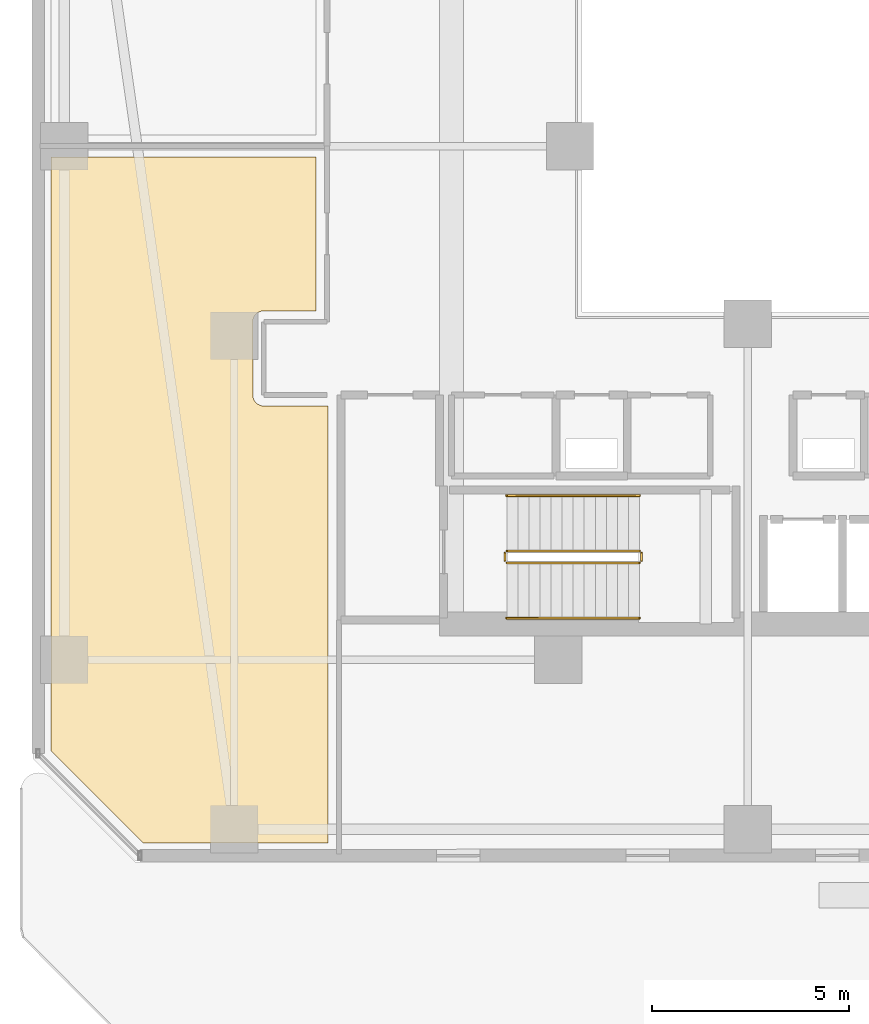
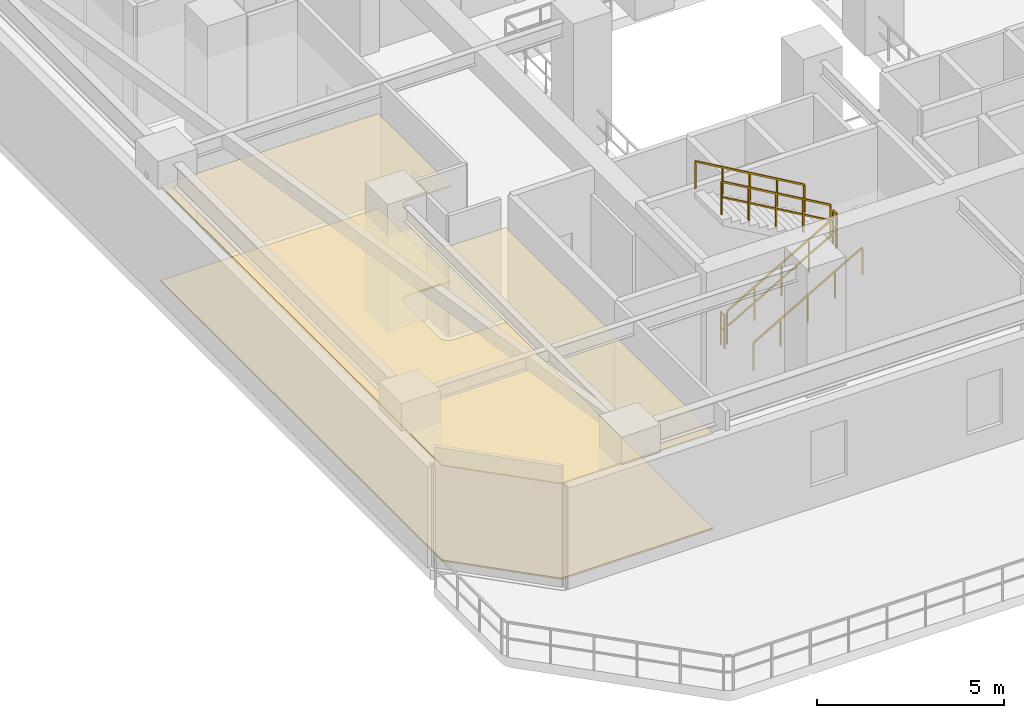
# One storey, part 24 of 30: 6 railings, 2 coverings.
"""IFC4 building model written with IfcOpenShell, lengths in metres."""

from ifc_helpers import new_model, si_unit, direction, frame, origin, origin_2d, place, context, subcontext, project, spatial, polyline, rectangle, outline, extrude, material, layer, layer_set, type_object, element, save


model = new_model("IFC4")

# Units and contexts
model_context = context("Model", 3, precision=1e-05, world=origin(), true_north=direction((0.0, 1.0)))
body_context = subcontext(model_context, "Body", "Model", "MODEL_VIEW")
ifc_project = project(units=[si_unit("LENGTHUNIT", "METRE"), si_unit("AREAUNIT", "SQUARE_METRE"), si_unit("VOLUMEUNIT", "CUBIC_METRE"), si_unit("PLANEANGLEUNIT", "RADIAN"), si_unit("MASSUNIT", "GRAM", prefix="KILO")], contexts=[model_context])

# Site, building, storey
site_placement = place(None, origin())
site = spatial("IfcSite", under=ifc_project, at=site_placement, CompositionType="ELEMENT")
building_placement = place(site_placement, origin())
building = spatial("IfcBuilding", under=site, at=building_placement, Name="Thornwick Lancets Civic Towers", CompositionType="ELEMENT")
storey_placement = place(building_placement, frame((0.0, 0.0, 75.89990234375)))
storey = spatial("IfcBuildingStorey", under=building, at=storey_placement, Name="L19", CompositionType="ELEMENT", Elevation=75.89990234375)

# Coverings
ifc_material_1 = material(Name="Perforated mineral acoustic ceiling tile")
ifc_layer_1 = layer(ifc_material_1, 0.0400390625, Name="Perforated mineral acoustic ceiling tile")
ifc_layer_set_1 = layer_set([ifc_layer_1], Name="Perforated mineral acoustic ceiling tile")
covering_type_1 = type_object("IfcCoveringType", Name="COV_CEIL_ACOUSTIC", PredefinedType="CEILING", material=ifc_layer_set_1)
covering_1_placement = place(storey_placement, frame((0.0, 0.0, 3.10498046875)))
element("IfcCovering", 1, at=covering_1_placement, inside=storey, type_object=covering_type_1, Name="L19 Tower A Ministry Directorate Office W1 Ceiling", PredefinedType="CEILING", context=body_context, shape_type="SweptSolid", body=[
    extrude(outline(polyline([(7.860107421875, 11.690673828125), (7.860107421875, 26.719970703125), (14.570068359375, 26.719970703125), (14.570068359375, 22.830078125), (13.25, 22.830078125), (13.22265625, 22.82861328125), (13.1953125, 22.82470703125), (13.168701171875, 22.81787109375), (13.142822265625, 22.80859375), (13.117919921875, 22.796875), (13.094482421875, 22.78271484375), (13.072509765625, 22.766357421875), (13.052001953125, 22.748046875), (13.03369140625, 22.7275390625), (13.01708984375, 22.70556640625), (13.003173828125, 22.681884765625), (12.9912109375, 22.6572265625), (12.982177734375, 22.63134765625), (12.975341796875, 22.6044921875), (12.97119140625, 22.577392578125), (12.969970703125, 22.550048828125), (12.969970703125, 20.699951171875), (12.97119140625, 20.672607421875), (12.975341796875, 20.6455078125), (12.982177734375, 20.61865234375), (12.9912109375, 20.5927734375), (13.003173828125, 20.568115234375), (13.01708984375, 20.54443359375), (13.03369140625, 20.5224609375), (13.052001953125, 20.501953125), (13.072509765625, 20.483642578125), (13.094482421875, 20.46728515625), (13.117919921875, 20.453125), (13.142822265625, 20.44140625), (13.168701171875, 20.43212890625), (13.1953125, 20.42529296875), (13.22265625, 20.42138671875), (13.25, 20.419921875), (14.8701171875, 20.419921875), (14.8701171875, 9.360107421875), (10.190673828125, 9.360107421875), (7.860107421875, 11.690673828125)])), origin(), (0.0, 0.0, 1.0), 0.0400390625),
])
ifc_material_2 = material(Name="Calcium-sulfate raised access floor panel")
ifc_layer_2 = layer(ifc_material_2, 0.050048828125, Name="Calcium-sulfate raised access floor panel")
ifc_layer_set_2 = layer_set([ifc_layer_2], Name="Calcium-sulfate raised access floor panel")
covering_type_2 = type_object("IfcCoveringType", Name="COV_FLOOR_RAISED", PredefinedType="FLOORING", material=ifc_layer_set_2)
covering_2_placement = place(storey_placement, origin())
element("IfcCovering", 2, at=covering_2_placement, inside=storey, type_object=covering_type_2, Name="L19 Tower A Ministry Directorate Office W1 Raised Access Flooring", PredefinedType="FLOORING", context=body_context, shape_type="SweptSolid", body=[
    extrude(outline(polyline([(7.860107421875, 11.690673828125), (7.860107421875, 26.719970703125), (14.570068359375, 26.719970703125), (14.570068359375, 22.830078125), (13.25, 22.830078125), (13.22265625, 22.82861328125), (13.1953125, 22.82470703125), (13.168701171875, 22.81787109375), (13.142822265625, 22.80859375), (13.117919921875, 22.796875), (13.094482421875, 22.78271484375), (13.072509765625, 22.766357421875), (13.052001953125, 22.748046875), (13.03369140625, 22.7275390625), (13.01708984375, 22.70556640625), (13.003173828125, 22.681884765625), (12.9912109375, 22.6572265625), (12.982177734375, 22.63134765625), (12.975341796875, 22.6044921875), (12.97119140625, 22.577392578125), (12.969970703125, 22.550048828125), (12.969970703125, 20.699951171875), (12.97119140625, 20.672607421875), (12.975341796875, 20.6455078125), (12.982177734375, 20.61865234375), (12.9912109375, 20.5927734375), (13.003173828125, 20.568115234375), (13.01708984375, 20.54443359375), (13.03369140625, 20.5224609375), (13.052001953125, 20.501953125), (13.072509765625, 20.483642578125), (13.094482421875, 20.46728515625), (13.117919921875, 20.453125), (13.142822265625, 20.44140625), (13.168701171875, 20.43212890625), (13.1953125, 20.42529296875), (13.22265625, 20.42138671875), (13.25, 20.419921875), (14.8701171875, 20.419921875), (14.8701171875, 9.360107421875), (10.190673828125, 9.360107421875), (7.860107421875, 11.690673828125)])), origin(), (0.0, 0.0, 1.0), 0.050048828125),
])

# Railings
ifc_material_3 = material(Name="Brushed stainless steel S355", Category="steel")
railing_type_1 = type_object("IfcRailingType", Name="RAIL_HANDRAIL", PredefinedType="HANDRAIL", material=ifc_material_3)
railing_1_placement = place(storey_placement, frame((19.39990234375, 15.050048828125, 0.16162109375)))
element("IfcRailing", 3, at=railing_1_placement, inside=storey, type_object=railing_type_1, Name="L19 ST-A1 stair handrail 1", PredefinedType="HANDRAIL", context=body_context, shape_type="SweptSolid", body=[
    extrude(rectangle(XDim=0.048095703125, YDim=0.048095703125, at=origin_2d()), frame((0.0, 0.0, 0.8857421875), z_axis=(0.866190824863, 0.0, 0.499713372768), x_axis=(0.0, 1.0, 0.0)), (0.0, 0.0, 1.0), 3.879150390625),
    extrude(rectangle(XDim=0.0419921875, YDim=0.0419921875, at=origin_2d()), origin(), (0.0, 0.0, 1.0), 0.855712890625),
    extrude(rectangle(XDim=0.0419921875, YDim=0.0419921875, at=origin_2d()), frame((0.840087890625, 0.0, 0.484619140625)), (0.0, 0.0, 1.0), 0.855712890625),
    extrude(rectangle(XDim=0.0419921875, YDim=0.0419921875, at=origin_2d()), frame((1.68017578125, 0.0, 0.96923828125)), (0.0, 0.0, 1.0), 0.855712890625),
    extrude(rectangle(XDim=0.0419921875, YDim=0.0419921875, at=origin_2d()), frame((2.52001953125, 0.0, 1.453857421875)), (0.0, 0.0, 1.0), 0.855712890625),
    extrude(rectangle(XDim=0.0419921875, YDim=0.0419921875, at=origin_2d()), frame((3.360107421875, 0.0, 1.9384765625)), (0.0, 0.0, 1.0), 0.855712890625),
])
railing_2_placement = place(storey_placement, frame((22.760009765625, 18.14990234375, 2.26171875)))
element("IfcRailing", 4, at=railing_2_placement, inside=storey, type_object=railing_type_1, Name="L19 ST-A1 stair handrail 2", PredefinedType="HANDRAIL", context=body_context, shape_type="SweptSolid", body=[
    extrude(rectangle(XDim=0.048095703125, YDim=0.048095703125, at=origin_2d()), frame((0.0, 0.0, 0.8857421875), z_axis=(-0.866190824863, 0.0, 0.499713372768), x_axis=(0.0, -1.0, 0.0)), (0.0, 0.0, 1.0), 3.879150390625),
    extrude(rectangle(XDim=0.0419921875, YDim=0.0419921875, at=origin_2d()), origin(), (0.0, 0.0, 1.0), 0.855712890625),
    extrude(rectangle(XDim=0.0419921875, YDim=0.0419921875, at=origin_2d()), frame((-0.840087890625, 0.0, 0.484619140625)), (0.0, 0.0, 1.0), 0.855712890625),
    extrude(rectangle(XDim=0.0419921875, YDim=0.0419921875, at=origin_2d()), frame((-1.68017578125, 0.0, 0.96923828125)), (0.0, 0.0, 1.0), 0.855712890625),
    extrude(rectangle(XDim=0.0419921875, YDim=0.0419921875, at=origin_2d()), frame((-2.52001953125, 0.0, 1.453857421875)), (0.0, 0.0, 1.0), 0.855712890625),
    extrude(rectangle(XDim=0.0419921875, YDim=0.0419921875, at=origin_2d()), frame((-3.360107421875, 0.0, 1.9384765625)), (0.0, 0.0, 1.0), 0.855712890625),
])
ifc_material_4 = material(Name="Steel S355JR", Category="steel")
railing_type_2 = type_object("IfcRailingType", Name="RAIL_STAIR_GUARD", PredefinedType="GUARDRAIL", material=ifc_material_4)
railing_3_placement = place(storey_placement, frame((19.39990234375, 16.449951171875, 0.16162109375)))
element("IfcRailing", 5, at=railing_3_placement, inside=storey, type_object=railing_type_2, Name="L19 ST-A1 stair guard 1", PredefinedType="GUARDRAIL", context=body_context, shape_type="SweptSolid", body=[
    extrude(rectangle(XDim=0.048095703125, YDim=0.048095703125, at=origin_2d()), frame((0.0, 0.0, 1.076171875), z_axis=(0.866190824863, 0.0, 0.499713372768), x_axis=(0.0, 1.0, 0.0)), (0.0, 0.0, 1.0), 3.879150390625),
    extrude(rectangle(XDim=0.0419921875, YDim=0.0419921875, at=origin_2d()), frame((0.032470703125, 0.0, 0.5908203125), z_axis=(0.866190824863, 0.0, 0.499713372768), x_axis=(0.0, 1.0, 0.0)), (0.0, 0.0, 1.0), 0.894775390625),
    extrude(rectangle(XDim=0.0419921875, YDim=0.0419921875, at=origin_2d()), frame((0.87255859375, 0.0, 1.075439453125), z_axis=(0.866190824863, 0.0, 0.499713372768), x_axis=(0.0, 1.0, 0.0)), (0.0, 0.0, 1.0), 0.894775390625),
    extrude(rectangle(XDim=0.0419921875, YDim=0.0419921875, at=origin_2d()), frame((1.712646484375, 0.0, 1.56005859375), z_axis=(0.866190824863, 0.0, 0.499713372768), x_axis=(0.0, 1.0, 0.0)), (0.0, 0.0, 1.0), 0.894775390625),
    extrude(rectangle(XDim=0.0419921875, YDim=0.0419921875, at=origin_2d()), frame((2.552490234375, 0.0, 2.044677734375), z_axis=(0.866190824863, 0.0, 0.499713372768), x_axis=(0.0, 1.0, 0.0)), (0.0, 0.0, 1.0), 0.894775390625),
    extrude(rectangle(XDim=0.0419921875, YDim=0.0419921875, at=origin_2d()), origin(), (0.0, 0.0, 1.0), 1.0458984375),
    extrude(rectangle(XDim=0.0419921875, YDim=0.0419921875, at=origin_2d()), frame((0.840087890625, 0.0, 0.484619140625)), (0.0, 0.0, 1.0), 1.0458984375),
    extrude(rectangle(XDim=0.0419921875, YDim=0.0419921875, at=origin_2d()), frame((1.68017578125, 0.0, 0.96923828125)), (0.0, 0.0, 1.0), 1.0458984375),
    extrude(rectangle(XDim=0.0419921875, YDim=0.0419921875, at=origin_2d()), frame((2.52001953125, 0.0, 1.453857421875)), (0.0, 0.0, 1.0), 1.0458984375),
    extrude(rectangle(XDim=0.0419921875, YDim=0.0419921875, at=origin_2d()), frame((3.360107421875, 0.0, 1.9384765625)), (0.0, 0.0, 1.0), 1.0458984375),
])
railing_4_placement = place(storey_placement, frame((22.81005859375, 16.5, 2.10009765625)))
element("IfcRailing", 6, at=railing_4_placement, inside=storey, type_object=railing_type_2, Name="L19 ST-A1 stair guard 2", PredefinedType="GUARDRAIL", context=body_context, shape_type="SweptSolid", body=[
    extrude(rectangle(XDim=0.048095703125, YDim=0.048095703125, at=origin_2d()), frame((0.0, 0.0, 1.076171875), z_axis=(0.0, 1.0, 0.0), x_axis=(-1.0, 0.0, 0.0)), (0.0, 0.0, 1.0), 0.199951171875),
    extrude(rectangle(XDim=0.0419921875, YDim=0.0419921875, at=origin_2d()), frame((0.0, 0.03759765625, 0.572021484375), z_axis=(0.0, 1.0, 0.0), x_axis=(-1.0, 0.0, 0.0)), (0.0, 0.0, 1.0), 0.125),
    extrude(rectangle(XDim=0.0419921875, YDim=0.0419921875, at=origin_2d()), origin(), (0.0, 0.0, 1.0), 1.0458984375),
    extrude(rectangle(XDim=0.0419921875, YDim=0.0419921875, at=origin_2d()), frame((0.0, 0.199951171875, 0.0)), (0.0, 0.0, 1.0), 1.0458984375),
])
railing_5_placement = place(storey_placement, frame((22.760009765625, 16.75, 2.26171875)))
element("IfcRailing", 7, at=railing_5_placement, inside=storey, type_object=railing_type_2, Name="L19 ST-A1 stair guard 3", PredefinedType="GUARDRAIL", context=body_context, shape_type="SweptSolid", body=[
    extrude(rectangle(XDim=0.048095703125, YDim=0.048095703125, at=origin_2d()), frame((0.0, 0.0, 1.076171875), z_axis=(-0.866190824863, 0.0, 0.499713372768), x_axis=(0.0, -1.0, 0.0)), (0.0, 0.0, 1.0), 3.879150390625),
    extrude(rectangle(XDim=0.0419921875, YDim=0.0419921875, at=origin_2d()), frame((-0.032470703125, 0.0, 0.5908203125), z_axis=(-0.866190824863, 0.0, 0.499713372768), x_axis=(0.0, -1.0, 0.0)), (0.0, 0.0, 1.0), 0.894775390625),
    extrude(rectangle(XDim=0.0419921875, YDim=0.0419921875, at=origin_2d()), frame((-0.87255859375, 0.0, 1.075439453125), z_axis=(-0.866190824863, 0.0, 0.499713372768), x_axis=(0.0, -1.0, 0.0)), (0.0, 0.0, 1.0), 0.894775390625),
    extrude(rectangle(XDim=0.0419921875, YDim=0.0419921875, at=origin_2d()), frame((-1.712646484375, 0.0, 1.56005859375), z_axis=(-0.866190824863, 0.0, 0.499713372768), x_axis=(0.0, -1.0, 0.0)), (0.0, 0.0, 1.0), 0.894775390625),
    extrude(rectangle(XDim=0.0419921875, YDim=0.0419921875, at=origin_2d()), frame((-2.552490234375, 0.0, 2.044677734375), z_axis=(-0.866190824863, 0.0, 0.499713372768), x_axis=(0.0, -1.0, 0.0)), (0.0, 0.0, 1.0), 0.894775390625),
    extrude(rectangle(XDim=0.0419921875, YDim=0.0419921875, at=origin_2d()), origin(), (0.0, 0.0, 1.0), 1.0458984375),
    extrude(rectangle(XDim=0.0419921875, YDim=0.0419921875, at=origin_2d()), frame((-0.840087890625, 0.0, 0.484619140625)), (0.0, 0.0, 1.0), 1.0458984375),
    extrude(rectangle(XDim=0.0419921875, YDim=0.0419921875, at=origin_2d()), frame((-1.68017578125, 0.0, 0.96923828125)), (0.0, 0.0, 1.0), 1.0458984375),
    extrude(rectangle(XDim=0.0419921875, YDim=0.0419921875, at=origin_2d()), frame((-2.52001953125, 0.0, 1.453857421875)), (0.0, 0.0, 1.0), 1.0458984375),
    extrude(rectangle(XDim=0.0419921875, YDim=0.0419921875, at=origin_2d()), frame((-3.360107421875, 0.0, 1.9384765625)), (0.0, 0.0, 1.0), 1.0458984375),
])
railing_6_placement = place(storey_placement, frame((19.35009765625, 16.5, 0.0)))
element("IfcRailing", 8, at=railing_6_placement, inside=storey, type_object=railing_type_2, Name="L19 ST-A1 stair guard 4", PredefinedType="GUARDRAIL", context=body_context, shape_type="SweptSolid", body=[
    extrude(rectangle(XDim=0.048095703125, YDim=0.048095703125, at=origin_2d()), frame((0.0, 0.0, 1.076171875), z_axis=(0.0, 1.0, 0.0), x_axis=(-1.0, 0.0, 0.0)), (0.0, 0.0, 1.0), 0.199951171875),
    extrude(rectangle(XDim=0.0419921875, YDim=0.0419921875, at=origin_2d()), frame((0.0, 0.03759765625, 0.572021484375), z_axis=(0.0, 1.0, 0.0), x_axis=(-1.0, 0.0, 0.0)), (0.0, 0.0, 1.0), 0.125),
    extrude(rectangle(XDim=0.0419921875, YDim=0.0419921875, at=origin_2d()), origin(), (0.0, 0.0, 1.0), 1.0458984375),
    extrude(rectangle(XDim=0.0419921875, YDim=0.0419921875, at=origin_2d()), frame((0.0, 0.199951171875, 0.0)), (0.0, 0.0, 1.0), 1.0458984375),
])

save(model, "model.ifc")
